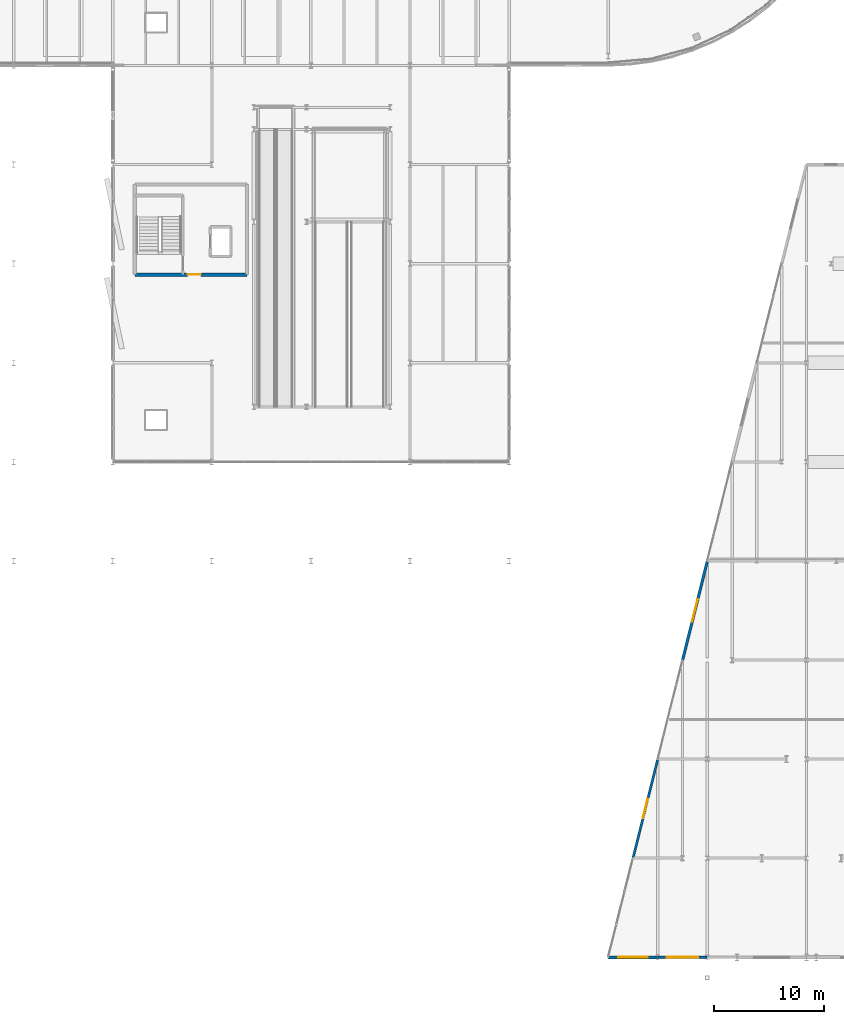
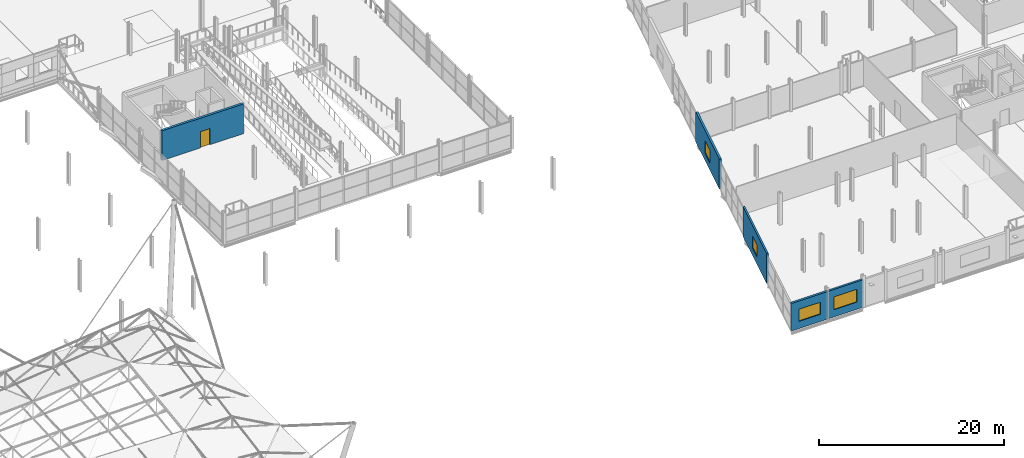
# One storey, part 112 of 132: 5 walls, 4 windows, 1 door, 5 openings.
"""IFC4 building model written with IfcOpenShell, lengths in metres."""

from ifc_helpers import new_model, si_unit, direction, frame, frame_2d, origin, place, context, subcontext, project, spatial, rectangle, extrude, material, layer, layer_set, type_object, element, fill, save


model = new_model("IFC4")

# Units and contexts
model_context = context("Model", 3, precision=1e-05, world=origin(), true_north=direction((0.0, 1.0)))
body_context = subcontext(model_context, "Body", "Model", "MODEL_VIEW")
ifc_project = project(units=[si_unit("LENGTHUNIT", "METRE"), si_unit("AREAUNIT", "SQUARE_METRE"), si_unit("VOLUMEUNIT", "CUBIC_METRE"), si_unit("PLANEANGLEUNIT", "RADIAN"), si_unit("MASSUNIT", "GRAM", prefix="KILO")], contexts=[model_context])

# Site, building, storey
site_placement = place(None, origin())
site = spatial("IfcSite", under=ifc_project, at=site_placement, CompositionType="ELEMENT")
building_placement = place(site_placement, origin())
building = spatial("IfcBuilding", under=site, at=building_placement, Name="Deido Ridge Mobility Hub", CompositionType="ELEMENT")
storey_placement = place(building_placement, frame((0.0, 0.0, 8.39990234375)))
storey = spatial("IfcBuildingStorey", under=building, at=storey_placement, Name="L02", CompositionType="ELEMENT", Elevation=8.39990234375)

# Wall, opening, window
ifc_material_1 = material(Name="Powder-coated aluminium cladding EN AW-3003", Category="aluminium")
ifc_layer_1 = layer(ifc_material_1, 0.22509765625, Name="Powder-coated aluminium cladding EN AW-3003")
ifc_layer_set_1 = layer_set([ifc_layer_1], Name="Powder-coated aluminium cladding EN AW-3003")
wall_type_1 = type_object("IfcWallType", Name="WL-EXT-ALU-225", PredefinedType="STANDARD", material=ifc_layer_set_1)
wall_1_placement = place(storey_placement, frame((119.25, 9.0, 0.0), z_axis=(0.0, 0.0, 1.0), x_axis=(0.242535625036, 0.970142500145, 0.0)))
wall_1 = element("IfcWall", 1, at=wall_1_placement, inside=storey, type_object=wall_type_1, Name="Exterior wall EW6", PredefinedType="STANDARD", context=body_context, shape_type="SweptSolid", body=[
    extrude(rectangle(XDim=9.277099609375, YDim=0.22509765625, at=frame_2d((4.638671875, 0.0))), origin(), (0.0, 0.0, 1.0), 3.93505859375),
])
opening_1_placement = place(wall_1_placement, frame((3.738525390625, 0.0, 0.949951171875)))
opening_1 = element("IfcOpeningElement", 2, at=opening_1_placement, cuts=wall_1, Name="Opening W7", PredefinedType="OPENING", context=body_context, shape_type="SweptSolid", body=[
    extrude(rectangle(XDim=1.800048828125, YDim=1.60009765625, at=frame_2d((0.89990234375, 0.800048828125))), frame((0.0, 0.12255859375, 0.0), z_axis=(0.0, -1.0, 0.0), x_axis=(1.0, 0.0, 0.0)), (0.0, 0.0, 1.0), 0.2451171875),
])
ifc_material_2 = material(Name="Laminated solar-control low-E glass", Category="glass")
window_type_1 = type_object("IfcWindowType", Name="WN-ALU-1800X1600", PartitioningType="DOUBLE_PANEL_VERTICAL", PredefinedType="WINDOW", material=ifc_material_2)
window_1_placement = place(opening_1_placement, origin())
window_1 = element("IfcWindow", 3, at=window_1_placement, inside=storey, type_object=window_type_1, Name="Exterior window W7", OverallHeight=1.60009765625, OverallWidth=1.800048828125, PartitioningType="SINGLE_PANEL", PredefinedType="WINDOW", context=body_context, shape_type="SweptSolid", body=[
    extrude(rectangle(XDim=1.800048828125, YDim=1.60009765625, at=frame_2d((0.89990234375, 0.800048828125))), frame((0.0, 0.030029296875, 0.0), z_axis=(0.0, -1.0, 0.0), x_axis=(1.0, 0.0, 0.0)), (0.0, 0.0, 1.0), 0.06005859375),
])
fill(opening_1, window_1)

ifc_material_3 = material(Name="Concrete blockwork masonry", Category="masonry")
ifc_layer_2 = layer(ifc_material_3, 0.2451171875, Name="Concrete blockwork masonry")
ifc_layer_set_2 = layer_set([ifc_layer_2], Name="Concrete blockwork masonry")
wall_type_2 = type_object("IfcWallType", Name="WL-EXT-BLK-245", PredefinedType="STANDARD", material=ifc_layer_set_2)
wall_2_placement = place(storey_placement, frame((121.507080078125, 0.0, 0.0), z_axis=(0.0, 0.0, 1.0), x_axis=(1.0, 0.0, 0.0)))
wall_2 = element("IfcWall", 4, at=wall_2_placement, inside=storey, type_object=wall_type_2, Name="Exterior wall EW4", PredefinedType="STANDARD", context=body_context, shape_type="SweptSolid", body=[
    extrude(rectangle(XDim=4.484130859375, YDim=0.2451171875, at=frame_2d((2.2421875, 0.0))), origin(), (0.0, 0.0, 1.0), 3.64013671875),
])
opening_2_placement = place(wall_2_placement, frame((0.817138671875, 0.0, 0.949951171875)))
opening_2 = element("IfcOpeningElement", 5, at=opening_2_placement, cuts=wall_2, Name="Opening W14", PredefinedType="OPENING", context=body_context, shape_type="SweptSolid", body=[
    extrude(rectangle(XDim=2.85009765625, YDim=1.699951171875, at=frame_2d((1.425048828125, 0.85009765625))), frame((0.0, 0.132568359375, 0.0), z_axis=(0.0, -1.0, 0.0), x_axis=(1.0, 0.0, 0.0)), (0.0, 0.0, 1.0), 0.26513671875),
])
window_type_2 = type_object("IfcWindowType", Name="WN-ALU-2850X1700", PartitioningType="DOUBLE_PANEL_VERTICAL", PredefinedType="WINDOW", material=ifc_material_2)
window_2_placement = place(opening_2_placement, origin())
window_2 = element("IfcWindow", 6, at=window_2_placement, inside=storey, type_object=window_type_2, Name="Exterior window W14", OverallHeight=1.699951171875, OverallWidth=2.85009765625, PartitioningType="SINGLE_PANEL", PredefinedType="WINDOW", context=body_context, shape_type="SweptSolid", body=[
    extrude(rectangle(XDim=2.85009765625, YDim=1.699951171875, at=frame_2d((1.425048828125, 0.85009765625))), frame((0.0, 0.030029296875, 0.0), z_axis=(0.0, -1.0, 0.0), x_axis=(1.0, 0.0, 0.0)), (0.0, 0.0, 1.0), 0.06005859375),
])
fill(opening_2, window_2)

ifc_layer_3 = layer(ifc_material_3, 0.264892578125, Name="Concrete blockwork masonry")
ifc_layer_set_3 = layer_set([ifc_layer_3], Name="Concrete blockwork masonry")
wall_type_3 = type_object("IfcWallType", Name="WL-EXT-BLK-265", PredefinedType="STANDARD", material=ifc_layer_set_3)
wall_3_placement = place(storey_placement, frame((117.0, 0.0, 0.0), z_axis=(0.0, 0.0, 1.0), x_axis=(1.0, 0.0, 0.0)))
wall_3 = element("IfcWall", 7, at=wall_3_placement, inside=storey, type_object=wall_type_3, Name="Exterior wall EW3", PredefinedType="STANDARD", context=body_context, shape_type="SweptSolid", body=[
    extrude(rectangle(XDim=4.492919921875, YDim=0.264892578125, at=frame_2d((2.24658203125, 0.0))), origin(), (0.0, 0.0, 1.0), 3.64013671875),
])
opening_3_placement = place(wall_3_placement, frame((0.896484375, 0.0, 0.949951171875)))
opening_3 = element("IfcOpeningElement", 8, at=opening_3_placement, cuts=wall_3, Name="Opening W13", PredefinedType="OPENING", context=body_context, shape_type="SweptSolid", body=[
    extrude(rectangle(XDim=2.699951171875, YDim=1.60009765625, at=frame_2d((1.35009765625, 0.800048828125))), frame((0.0, 0.142578125, 0.0), z_axis=(0.0, -1.0, 0.0), x_axis=(1.0, 0.0, 0.0)), (0.0, 0.0, 1.0), 0.284912109375),
])
window_type_3 = type_object("IfcWindowType", Name="WN-ALU-2700X1600", PartitioningType="DOUBLE_PANEL_VERTICAL", PredefinedType="WINDOW", material=ifc_material_2)
window_3_placement = place(opening_3_placement, origin())
window_3 = element("IfcWindow", 9, at=window_3_placement, inside=storey, type_object=window_type_3, Name="Exterior window W13", OverallHeight=1.60009765625, OverallWidth=2.699951171875, PartitioningType="SINGLE_PANEL", PredefinedType="WINDOW", context=body_context, shape_type="SweptSolid", body=[
    extrude(rectangle(XDim=2.699951171875, YDim=1.60009765625, at=frame_2d((1.35009765625, 0.800048828125))), frame((0.0, 0.030029296875, 0.0), z_axis=(0.0, -1.0, 0.0), x_axis=(1.0, 0.0, 0.0)), (0.0, 0.0, 1.0), 0.06005859375),
])
fill(opening_3, window_3)

ifc_layer_4 = layer(ifc_material_3, 0.2548828125, Name="Concrete blockwork masonry")
ifc_layer_set_4 = layer_set([ifc_layer_4], Name="Concrete blockwork masonry")
wall_type_4 = type_object("IfcWallType", Name="WL-PLG-BLK-255", PredefinedType="POLYGONAL", material=ifc_layer_set_4)
wall_4_placement = place(storey_placement, frame((123.75, 27.0, 0.0), z_axis=(0.0, 0.0, 1.0), x_axis=(0.242535625036, 0.970142500145, 0.0)))
wall_4 = element("IfcWall", 10, at=wall_4_placement, inside=storey, type_object=wall_type_4, Name="Exterior wall PGW2", PredefinedType="POLYGONAL", context=body_context, shape_type="SweptSolid", body=[
    extrude(rectangle(XDim=9.277099609375, YDim=0.2548828125, at=frame_2d((4.638671875, 0.0))), origin(), (0.0, 0.0, 1.0), 3.93505859375),
])
opening_4_placement = place(wall_4_placement, frame((3.58837890625, 0.0, 0.949951171875)))
opening_4 = element("IfcOpeningElement", 11, at=opening_4_placement, cuts=wall_4, Name="Opening W9", PredefinedType="OPENING", context=body_context, shape_type="SweptSolid", body=[
    extrude(rectangle(XDim=2.10009765625, YDim=1.699951171875, at=frame_2d((1.050048828125, 0.85009765625))), frame((0.0, 0.137451171875, 0.0), z_axis=(0.0, -1.0, 0.0), x_axis=(1.0, 0.0, 0.0)), (0.0, 0.0, 1.0), 0.27490234375),
])
window_type_4 = type_object("IfcWindowType", Name="WN-ALU-2100X1700", PartitioningType="DOUBLE_PANEL_VERTICAL", PredefinedType="WINDOW", material=ifc_material_2)
window_4_placement = place(opening_4_placement, origin())
window_4 = element("IfcWindow", 12, at=window_4_placement, inside=storey, type_object=window_type_4, Name="Exterior window W9", OverallHeight=1.699951171875, OverallWidth=2.10009765625, PartitioningType="SINGLE_PANEL", PredefinedType="WINDOW", context=body_context, shape_type="SweptSolid", body=[
    extrude(rectangle(XDim=2.10009765625, YDim=1.699951171875, at=frame_2d((1.050048828125, 0.85009765625))), frame((0.0, 0.030029296875, 0.0), z_axis=(0.0, -1.0, 0.0), x_axis=(1.0, 0.0, 0.0)), (0.0, 0.0, 1.0), 0.06005859375),
])
fill(opening_4, window_4)

# Wall, opening, door
ifc_material_4 = material(Name="Concrete C40/50", Category="concrete")
ifc_layer_5 = layer(ifc_material_4, 0.300048828125, Name="Concrete C40/50")
ifc_layer_set_5 = layer_set([ifc_layer_5], Name="Concrete C40/50")
wall_type_5 = type_object("IfcWallType", Name="WL-SHR-RC-300", PredefinedType="SHEAR", material=ifc_layer_set_5)
wall_5_placement = place(storey_placement, frame((74.0, 62.0, 0.0), z_axis=(0.0, 0.0, 1.0), x_axis=(1.0, 0.0, 0.0)))
wall_5 = element("IfcWall", 13, at=wall_5_placement, inside=storey, type_object=wall_type_5, Name="C4 south shear wall", PredefinedType="SHEAR", context=body_context, shape_type="SweptSolid", body=[
    extrude(rectangle(XDim=10.199951171875, YDim=0.300048828125, at=frame_2d((5.10009765625, 0.0))), origin(), (0.0, 0.0, 1.0), 3.93505859375),
])
opening_5_placement = place(wall_5_placement, frame((4.800048828125, 0.0, 0.0)))
opening_5 = element("IfcOpeningElement", 14, at=opening_5_placement, cuts=wall_5, Name="Opening LD-C4-089", PredefinedType="OPENING", context=body_context, shape_type="SweptSolid", body=[
    extrude(rectangle(XDim=1.199951171875, YDim=2.14990234375, at=frame_2d((0.60009765625, 1.074951171875))), frame((0.0, 0.16015625, 0.0), z_axis=(0.0, -1.0, 0.0), x_axis=(1.0, 0.0, 0.0)), (0.0, 0.0, 1.0), 0.320068359375),
])
ifc_material_5 = material(Name="Galvanised steel work", Category="steel")
door_type = type_object("IfcDoorType", Name="DR-FD60-1200X2150", OperationType="NOTDEFINED", PredefinedType="DOOR", material=ifc_material_5)
door_placement = place(opening_5_placement, origin())
door = element("IfcDoor", 15, at=door_placement, inside=storey, type_object=door_type, Name="DR-I0089 C4 lift lobby door (L02)", OperationType="SINGLE_SWING_RIGHT", OverallHeight=2.14990234375, OverallWidth=1.199951171875, PredefinedType="DOOR", context=body_context, shape_type="SweptSolid", body=[
    extrude(rectangle(XDim=1.199951171875, YDim=2.14990234375, at=frame_2d((0.60009765625, 1.074951171875))), frame((0.0, 0.02490234375, 0.0), z_axis=(0.0, -1.0, 0.0), x_axis=(1.0, 0.0, 0.0)), (0.0, 0.0, 1.0), 0.050048828125),
])
fill(opening_5, door)

save(model, "model.ifc")
